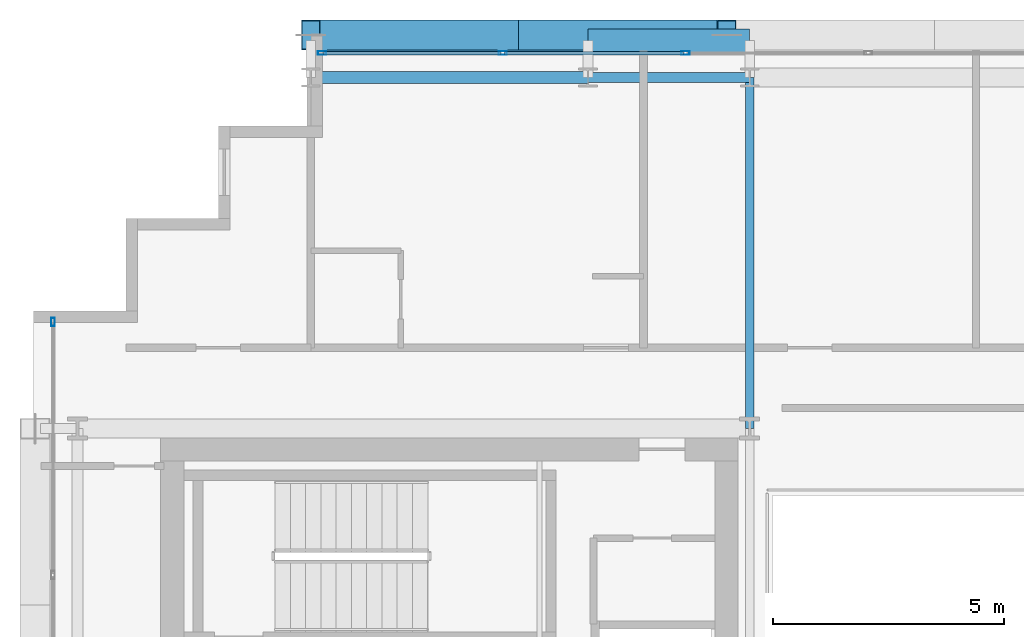
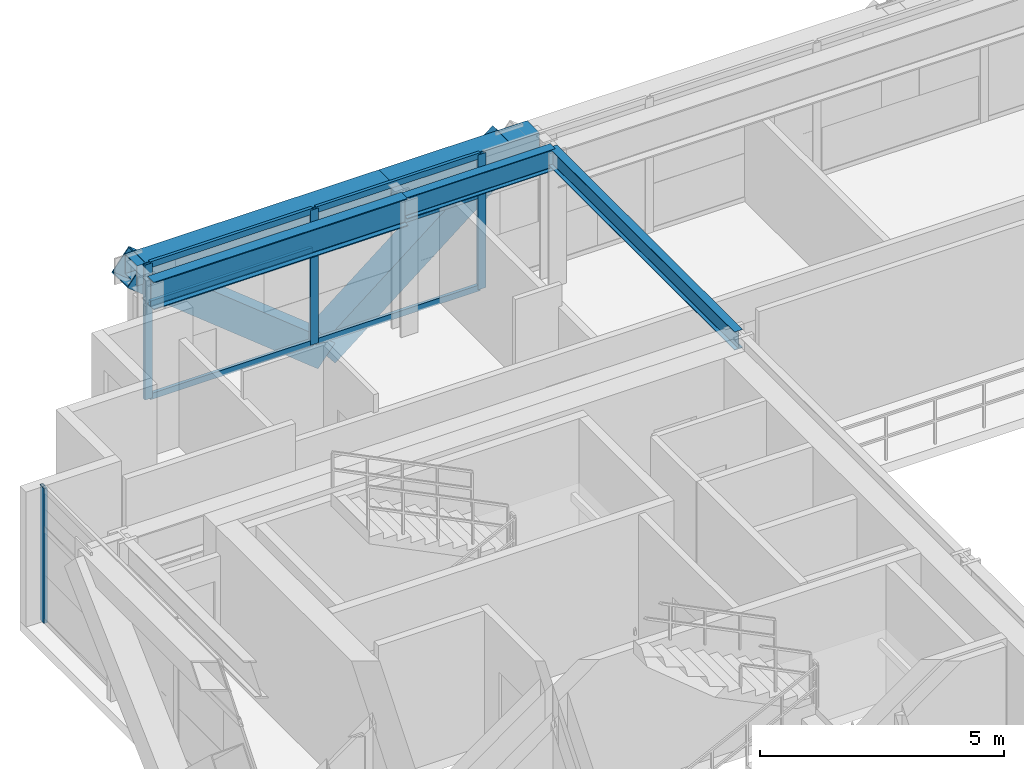
# One storey, part 16 of 31: 12 members, 5 beams, 2 elements without a shape of their own.
"""IFC4 building model written with IfcOpenShell, lengths in metres."""

from ifc_helpers import new_model, si_unit, direction, frame, origin, origin_2d, place, context, subcontext, project, spatial, hollow_rectangle, i_section, extrude, source, transform, mapped, material, layer, layer_set, material_profile, profile_set, type_object, element, aggregate, save


model = new_model("IFC4")

# Units and contexts
model_context = context("Model", 3, precision=1e-05, world=origin(), true_north=direction((0.0, 1.0)))
body_context = subcontext(model_context, "Body", "Model", "MODEL_VIEW")
ifc_project = project(units=[si_unit("LENGTHUNIT", "METRE"), si_unit("AREAUNIT", "SQUARE_METRE"), si_unit("VOLUMEUNIT", "CUBIC_METRE"), si_unit("PLANEANGLEUNIT", "RADIAN"), si_unit("MASSUNIT", "GRAM", prefix="KILO")], contexts=[model_context])

# Site, building, storey
site_placement = place(None, origin())
site = spatial("IfcSite", under=ifc_project, at=site_placement, CompositionType="ELEMENT")
building_placement = place(site_placement, origin())
building = spatial("IfcBuilding", under=site, at=building_placement, Name="Ocotamira Hotel", CompositionType="ELEMENT")
storey_placement = place(building_placement, frame((0.0, 0.0, 199.199951171875)))
storey = spatial("IfcBuildingStorey", under=building, at=storey_placement, Name="L50", CompositionType="ELEMENT", Elevation=199.199951171875)

# Beams
ifc_material_1 = material(Name="Steel ASTM A992 Grade 50", Category="steel")
ifc_material_profile_1 = material_profile(ifc_material_1, i_section(OverallWidth=0.256103515625, OverallDepth=0.693115234375, WebThickness=0.014404296875, FlangeThickness=0.023681640625, FilletRadius=0.01611328125, at=origin_2d()), Name="W27X114")
ifc_profile_set_1 = profile_set([ifc_material_profile_1], Name="Steel ASTM A992 Grade 50")
beam_type_1 = type_object("IfcBeamType", Name="BM-PRIM-W27X114", PredefinedType="BEAM", material=ifc_profile_set_1)
shared_shape_1 = source(origin(), body_context, "Body", "SweptSolid", [
    extrude(i_section(OverallWidth=0.256103515625, OverallDepth=0.693115234375, WebThickness=0.014404296875, FlangeThickness=0.023681640625, FilletRadius=0.01611328125, at=origin_2d()), origin(), (0.0, 0.0, 1.0), 6.0),
])
beam_1_placement = place(storey_placement, frame((14.0, 45.050048828125, 3.0234375), z_axis=(1.0, 0.0, 0.0), x_axis=(0.0, 1.0, 0.0)))
element("IfcBeam", 1, at=beam_1_placement, inside=storey, type_object=beam_type_1, Name="L50 Girder Y45.05 X14-20", PredefinedType="BEAM", context=body_context, shape_type="MappedRepresentation", body=[
    mapped(shared_shape_1, transform((0.0, 0.0, 0.0), scale=1.0)),
])
ifc_material_profile_2 = material_profile(ifc_material_1, i_section(OverallWidth=0.2099609375, OverallDepth=0.537109375, WebThickness=0.010986328125, FlangeThickness=0.017333984375, FilletRadius=0.012939453125, at=origin_2d()), Name="W21X68")
ifc_profile_set_2 = profile_set([ifc_material_profile_2], Name="Steel ASTM A992 Grade 50")
beam_type_2 = type_object("IfcBeamType", Name="BM-SEC-W21X68", PredefinedType="JOIST", material=ifc_profile_set_2)
shared_shape_2 = source(origin(), body_context, "Body", "SweptSolid", [
    extrude(i_section(OverallWidth=0.2099609375, OverallDepth=0.537109375, WebThickness=0.010986328125, FlangeThickness=0.017333984375, FilletRadius=0.012939453125, at=origin_2d()), origin(), (0.0, 0.0, 1.0), 3.5),
])
beam_2_placement = place(storey_placement, frame((20.0, 45.050048828125, 3.1015625), z_axis=(1.0, 0.0, 0.0), x_axis=(0.0, 1.0, 0.0)))
element("IfcBeam", 2, at=beam_2_placement, inside=storey, type_object=beam_type_2, Name="L50 Girder Y45.05 X20-23.5", PredefinedType="JOIST", context=body_context, shape_type="MappedRepresentation", body=[
    mapped(shared_shape_2, transform((0.0, 0.0, 0.0), scale=1.0)),
])
ifc_material_2 = material(Name="Steel ASTM A500 Grade C", Category="steel")
ifc_material_profile_3 = material_profile(ifc_material_2, hollow_rectangle(XDim=0.5, YDim=0.5, WallThickness=0.02001953125, at=origin_2d()), Name="HSS500X500X20")
ifc_profile_set_3 = profile_set([ifc_material_profile_3], Name="Steel ASTM A500 Grade C")
beam_type_3 = type_object("IfcBeamType", Name="BM-SPAN-HSS500", PredefinedType="USERDEFINED", material=ifc_profile_set_3)
shared_shape_3 = source(origin(), body_context, "Body", "SweptSolid", [
    extrude(hollow_rectangle(XDim=0.5, YDim=0.5, WallThickness=0.02001953125, at=origin_2d()), origin(), (0.0, 0.0, 1.0), 6.0),
])
beam_3_placement = place(storey_placement, frame((14.0, 45.85009765625, 3.1201171875), z_axis=(1.0, 0.0, 0.0), x_axis=(0.0, 1.0, 0.0)))
element("IfcBeam", 3, at=beam_3_placement, inside=storey, type_object=beam_type_3, Name="L50 Edge Spandrel N X14-20", ObjectType="SPANDREL", PredefinedType="USERDEFINED", context=body_context, shape_type="MappedRepresentation", body=[
    mapped(shared_shape_3, transform((0.0, 0.0, 0.0), scale=1.0)),
])
shared_shape_4 = source(origin(), body_context, "Body", "SweptSolid", [
    extrude(hollow_rectangle(XDim=0.5, YDim=0.5, WallThickness=0.02001953125, at=origin_2d()), origin(), (0.0, 0.0, 1.0), 3.5),
])
beam_4_placement = place(storey_placement, frame((20.0, 45.85009765625, 3.1201171875), z_axis=(1.0, 0.0, 0.0), x_axis=(0.0, 1.0, 0.0)))
element("IfcBeam", 4, at=beam_4_placement, inside=storey, type_object=beam_type_3, Name="L50 Edge Spandrel N X20-23.5", ObjectType="SPANDREL", PredefinedType="USERDEFINED", context=body_context, shape_type="MappedRepresentation", body=[
    mapped(shared_shape_4, transform((0.0, 0.0, 0.0), scale=1.0)),
])
ifc_material_profile_4 = material_profile(ifc_material_1, i_section(OverallWidth=0.18994140625, OverallDepth=0.45703125, WebThickness=0.009033203125, FlangeThickness=0.014404296875, FilletRadius=0.010009765625, at=origin_2d()), Name="W18X50")
ifc_profile_set_4 = profile_set([ifc_material_profile_4], Name="Steel ASTM A992 Grade 50")
beam_type_4 = type_object("IfcBeamType", Name="BM-SEC-W18X50", PredefinedType="JOIST", material=ifc_profile_set_4)
shared_shape_5 = source(origin(), body_context, "Body", "SweptSolid", [
    extrude(i_section(OverallWidth=0.18994140625, OverallDepth=0.45703125, WebThickness=0.009033203125, FlangeThickness=0.014404296875, FilletRadius=0.010009765625, at=origin_2d()), origin(), (0.0, 0.0, 1.0), 7.60009765625),
])
beam_5_placement = place(storey_placement, frame((23.5, 37.449951171875, 3.1416015625), z_axis=(0.0, 1.0, 0.0), x_axis=(-1.0, 0.0, 0.0)))
element("IfcBeam", 5, at=beam_5_placement, inside=storey, type_object=beam_type_4, Name="L50 Beam X23.5 Y37.45-45.05", PredefinedType="JOIST", context=body_context, shape_type="MappedRepresentation", body=[
    mapped(shared_shape_5, transform((0.0, 0.0, 0.0), scale=1.0)),
])

# Members
ifc_material_3 = material(Name="Pale-metal coated steel ASTM A913 Grade 65", Category="steel")
ifc_material_profile_5 = material_profile(ifc_material_3, hollow_rectangle(XDim=0.64990234375, YDim=0.64990234375, WallThickness=0.02197265625, at=origin_2d()), Name="BOX650X650X22")
ifc_profile_set_5 = profile_set([ifc_material_profile_5], Name="Pale-metal coated steel ASTM A913 Grade 65")
member_type_1 = type_object("IfcMemberType", Name="MEM-EXO-BOX650", PredefinedType="BRACE", material=ifc_profile_set_5)
shared_shape_6 = source(origin(), body_context, "Body", "SweptSolid", [
    extrude(hollow_rectangle(XDim=0.64990234375, YDim=0.64990234375, WallThickness=0.02197265625, at=origin_2d()), origin(), (0.0, 0.0, 1.0), 5.762939453125),
])
for number, where, z_axis, x_axis, name in (
    (6, (18.5, 45.969970703125, -0.47998046875), (-0.780860543151, 0.0, 0.624705380279), (0.0, -1.0, 0.0), "L50 Exoskeleton Diagrid N0.1"),
    (7, (18.5, 45.969970703125, -0.47998046875), (0.780860543151, 0.0, 0.624705380279), (0.0, 1.0, 0.0), "L50 Exoskeleton Diagrid N0.2"),
):
    element("IfcMember", number, at=place(storey_placement, frame(where, z_axis=z_axis, x_axis=x_axis)), inside=storey, type_object=member_type_1, Name=name, PredefinedType="BRACE", context=body_context, shape_type="MappedRepresentation", body=[
        mapped(shared_shape_6, transform((0.0, 0.0, 0.0), scale=1.0)),
    ])

# Curtain wall, members
ifc_material_4 = material(Name="Anodised pale-metal aluminium and solar glass", Category="aluminium")
ifc_layer = layer(ifc_material_4, 0.199951171875)
ifc_layer_set = layer_set([ifc_layer], Name="Anodised pale-metal aluminium and solar glass")
curtain_wall_type = type_object("IfcCurtainWallType", Name="CW-SYS4-Z3", PredefinedType="NOTDEFINED", material=ifc_layer_set)
curtain_wall_1_placement = place(storey_placement, origin())
curtain_wall_1 = element("IfcCurtainWall", 8, at=curtain_wall_1_placement, inside=storey, type_object=curtain_wall_type, Name="L50 Curtain Wall CW-4 CW-L50-N", PredefinedType="NOTDEFINED")
ifc_material_5 = material(Name="Anodised pale-metal aluminium 6063-T6", Category="aluminium")
ifc_material_profile_6 = material_profile(ifc_material_5, hollow_rectangle(XDim=0.074951171875, YDim=0.14990234375, WallThickness=0.006103515625, at=origin_2d()), Name="HSS150X75X6")
ifc_profile_set_6 = profile_set([ifc_material_profile_6], Name="Anodised pale-metal aluminium 6063-T6")
member_type_2 = type_object("IfcMemberType", Name="CWT-150X75", PredefinedType="USERDEFINED", material=ifc_profile_set_6)
shared_shape_7 = source(origin(), body_context, "Body", "SweptSolid", [
    extrude(hollow_rectangle(XDim=0.074951171875, YDim=0.14990234375, WallThickness=0.006103515625, at=origin_2d()), origin(), (0.0, 0.0, 1.0), 3.83544921875),
])
member_1_placement = place(storey_placement, frame((14.280029296875, 45.580078125, 0.03759765625), z_axis=(1.0, 0.0, 0.0), x_axis=(0.0, 1.0, 0.0)))
member_1 = element("IfcMember", 9, at=member_1_placement, type_object=member_type_2, Name="CW-4 transom 1.1", ObjectType="TRANSOM", PredefinedType="USERDEFINED", context=body_context, shape_type="MappedRepresentation", body=[
    mapped(shared_shape_7, transform((0.0, 0.0, 0.0), scale=1.0)),
])
member_2_placement = place(storey_placement, frame((14.280029296875, 45.580078125, 2.35009765625), z_axis=(1.0, 0.0, 0.0), x_axis=(0.0, 1.0, 0.0)))
member_2 = element("IfcMember", 10, at=member_2_placement, type_object=member_type_2, Name="CW-4 transom 1.2", ObjectType="TRANSOM", PredefinedType="USERDEFINED", context=body_context, shape_type="MappedRepresentation", body=[
    mapped(shared_shape_7, transform((0.0, 0.0, 0.0), scale=1.0)),
])
member_3_placement = place(storey_placement, frame((14.280029296875, 45.580078125, 3.33251953125), z_axis=(1.0, 0.0, 0.0), x_axis=(0.0, 1.0, 0.0)))
member_3 = element("IfcMember", 11, at=member_3_placement, type_object=member_type_2, Name="CW-4 transom 1.3", ObjectType="TRANSOM", PredefinedType="USERDEFINED", context=body_context, shape_type="MappedRepresentation", body=[
    mapped(shared_shape_7, transform((0.0, 0.0, 0.0), scale=1.0)),
])
shared_shape_8 = source(origin(), body_context, "Body", "SweptSolid", [
    extrude(hollow_rectangle(XDim=0.074951171875, YDim=0.14990234375, WallThickness=0.006103515625, at=origin_2d()), origin(), (0.0, 0.0, 1.0), 3.87548828125),
])
member_4_placement = place(storey_placement, frame((18.195556640625, 45.580078125, 0.03759765625), z_axis=(1.0, 0.0, 0.0), x_axis=(0.0, 1.0, 0.0)))
member_4 = element("IfcMember", 12, at=member_4_placement, type_object=member_type_2, Name="CW-4 transom 2.1", ObjectType="TRANSOM", PredefinedType="USERDEFINED", context=body_context, shape_type="MappedRepresentation", body=[
    mapped(shared_shape_8, transform((0.0, 0.0, 0.0), scale=1.0)),
])
member_5_placement = place(storey_placement, frame((18.195556640625, 45.580078125, 2.35009765625), z_axis=(1.0, 0.0, 0.0), x_axis=(0.0, 1.0, 0.0)))
member_5 = element("IfcMember", 13, at=member_5_placement, type_object=member_type_2, Name="CW-4 transom 2.2", ObjectType="TRANSOM", PredefinedType="USERDEFINED", context=body_context, shape_type="MappedRepresentation", body=[
    mapped(shared_shape_8, transform((0.0, 0.0, 0.0), scale=1.0)),
])
member_6_placement = place(storey_placement, frame((18.195556640625, 45.580078125, 3.33251953125), z_axis=(1.0, 0.0, 0.0), x_axis=(0.0, 1.0, 0.0)))
member_6 = element("IfcMember", 14, at=member_6_placement, type_object=member_type_2, Name="CW-4 transom 2.3", ObjectType="TRANSOM", PredefinedType="USERDEFINED", context=body_context, shape_type="MappedRepresentation", body=[
    mapped(shared_shape_8, transform((0.0, 0.0, 0.0), scale=1.0)),
])
ifc_material_profile_7 = material_profile(ifc_material_5, hollow_rectangle(XDim=0.080078125, YDim=0.179931640625, WallThickness=0.006103515625, at=origin_2d()), Name="HSS180X80X6")
ifc_profile_set_7 = profile_set([ifc_material_profile_7], Name="Anodised pale-metal aluminium 6063-T6")
member_type_3 = type_object("IfcMemberType", Name="CWM-180X75", PredefinedType="MULLION", material=ifc_profile_set_7)
shared_shape_9 = source(origin(), body_context, "Body", "SweptSolid", [
    extrude(hollow_rectangle(XDim=0.080078125, YDim=0.179931640625, WallThickness=0.006103515625, at=origin_2d()), origin(), (0.0, 0.0, 1.0), 3.3701171875),
])
member_7_placement = place(storey_placement, frame((14.239990234375, 45.580078125, 0.0), z_axis=(0.0, 0.0, 1.0), x_axis=(0.0, 1.0, 0.0)))
member_7 = element("IfcMember", 15, at=member_7_placement, type_object=member_type_3, Name="CW-4 mullion 1", PredefinedType="MULLION", context=body_context, shape_type="MappedRepresentation", body=[
    mapped(shared_shape_9, transform((0.0, 0.0, 0.0), scale=1.0)),
])
member_8_placement = place(storey_placement, frame((18.155517578125, 45.580078125, 0.0), z_axis=(0.0, 0.0, 1.0), x_axis=(0.0, 1.0, 0.0)))
member_8 = element("IfcMember", 16, at=member_8_placement, type_object=member_type_3, Name="CW-4 mullion 2", PredefinedType="MULLION", context=body_context, shape_type="MappedRepresentation", body=[
    mapped(shared_shape_9, transform((0.0, 0.0, 0.0), scale=1.0)),
])
member_9_placement = place(storey_placement, frame((22.111083984375, 45.580078125, 0.0), z_axis=(0.0, 0.0, 1.0), x_axis=(0.0, 1.0, 0.0)))
member_9 = element("IfcMember", 17, at=member_9_placement, type_object=member_type_3, Name="CW-4 mullion 3", PredefinedType="MULLION", context=body_context, shape_type="MappedRepresentation", body=[
    mapped(shared_shape_9, transform((0.0, 0.0, 0.0), scale=1.0)),
])
aggregate(curtain_wall_1, [member_7, member_8, member_9, member_1, member_2, member_3, member_4, member_5, member_6])

# Curtain wall, member
curtain_wall_2_placement = place(storey_placement, origin())
curtain_wall_2 = element("IfcCurtainWall", 18, at=curtain_wall_2_placement, inside=storey, type_object=curtain_wall_type, Name="L50 Curtain Wall CW-4 CW-L50-W", PredefinedType="NOTDEFINED")
member_10_placement = place(storey_placement, frame((8.419921875, 39.760009765625, 0.0), z_axis=(0.0, 0.0, 1.0), x_axis=(-1.0, 0.0, 0.0)))
member_10 = element("IfcMember", 19, at=member_10_placement, type_object=member_type_3, Name="CW-4 mullion 6", PredefinedType="MULLION", context=body_context, shape_type="MappedRepresentation", body=[
    mapped(shared_shape_9, transform((0.0, 0.0, 0.0), scale=1.0)),
])
aggregate(curtain_wall_2, [member_10])

save(model, "model.ifc")
